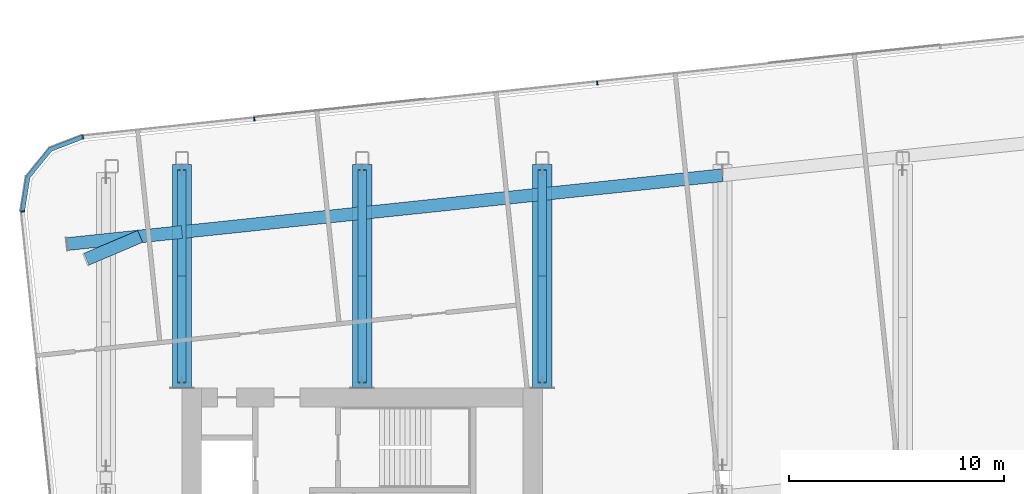
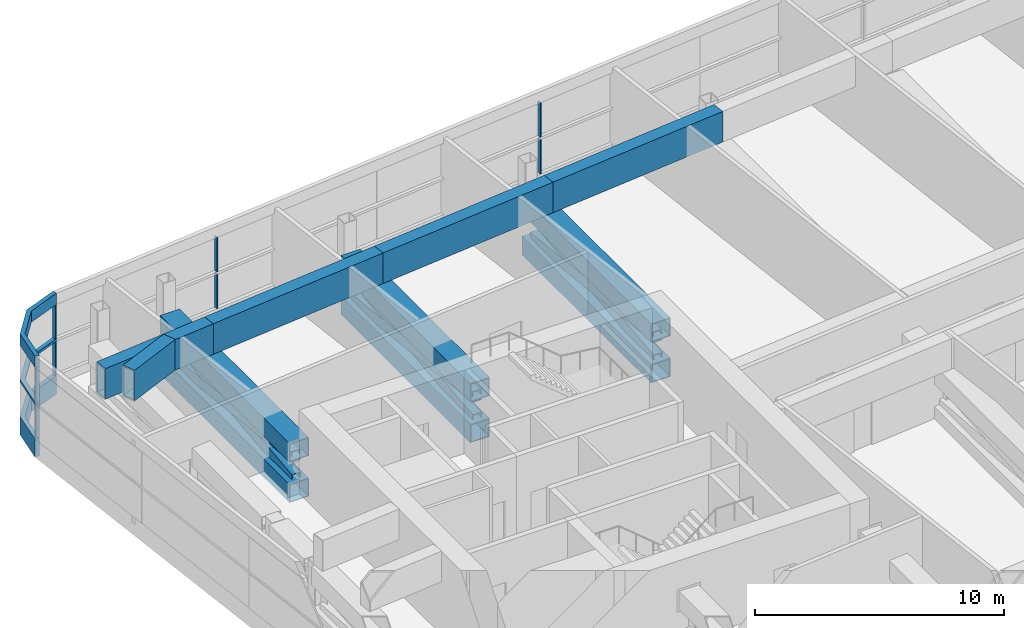
# One storey, part 9 of 33: 23 members, 5 beams, 3 elements without a shape of their own.
"""IFC4 building model written with IfcOpenShell, lengths in metres."""

from ifc_helpers import new_model, si_unit, direction, frame, origin, origin_2d, place, context, subcontext, project, spatial, polyline, rectangle, hollow_rectangle, outline, extrude, material, layer, layer_set, material_profile, profile_set, type_object, element, aggregate, save


model = new_model("IFC4")

# Units and contexts
model_context = context("Model", 3, precision=1e-05, world=origin(), true_north=direction((0.0, 1.0)))
body_context = subcontext(model_context, "Body", "Model", "MODEL_VIEW")
ifc_project = project(units=[si_unit("LENGTHUNIT", "METRE"), si_unit("AREAUNIT", "SQUARE_METRE"), si_unit("VOLUMEUNIT", "CUBIC_METRE"), si_unit("PLANEANGLEUNIT", "RADIAN"), si_unit("MASSUNIT", "GRAM", prefix="KILO")], contexts=[model_context])

# Site, building, storey
site_placement = place(None, origin())
site = spatial("IfcSite", under=ifc_project, at=site_placement, CompositionType="ELEMENT")
building_placement = place(site_placement, origin())
building = spatial("IfcBuilding", under=site, at=building_placement, Name="Hakoniwa Tower and Hamabe Station Hall", CompositionType="ELEMENT")
storey_placement = place(building_placement, frame((0.0, 0.0, 228.199951171875)))
storey = spatial("IfcBuildingStorey", under=building, at=storey_placement, Name="L65", CompositionType="ELEMENT", Elevation=228.199951171875)

# Curtain wall, members
ifc_material_1 = material(Name="Dark low-e laminated glass", Category="glass")
ifc_layer = layer(ifc_material_1, 0.199951171875)
ifc_layer_set = layer_set([ifc_layer], Name="CW-6 PLANT LOUVRE")
curtain_wall_type = type_object("IfcCurtainWallType", Name="CW-6 PLANT LOUVRE", PredefinedType="NOTDEFINED", material=ifc_layer_set)
curtain_wall_1_placement = place(storey_placement, origin())
curtain_wall_1 = element("IfcCurtainWall", 1, at=curtain_wall_1_placement, inside=storey, type_object=curtain_wall_type, Name="CW-6 curtain wall", PredefinedType="NOTDEFINED")
ifc_material_2 = material(Name="Aluminium 6063-T5 black anodised", Category="aluminium")
ifc_material_profile_1 = material_profile(ifc_material_2, rectangle(XDim=0.199951171875, YDim=0.550048828125, at=origin_2d()), Name="CW HEAD BAND 550X200")
ifc_profile_set_1 = profile_set([ifc_material_profile_1], Name="Aluminium 6063-T5 black anodised")
member_type_1 = type_object("IfcMemberType", Name="CW HEAD BAND 550X200", PredefinedType="USERDEFINED", material=ifc_profile_set_1)
member_1_placement = place(storey_placement, frame((0.0, 0.0, 3.85009765625)))
member_1 = element("IfcMember", 2, at=member_1_placement, type_object=member_type_1, Name="CW-6 transom", ObjectType="TRANSOM", PredefinedType="USERDEFINED", context=body_context, shape_type="SweptSolid", body=[
    extrude(outline(polyline([(-38.23291015625, 20.19091796875), (-39.79443359375, 19.59130859375), (-40.873046875, 18.259521484375), (-41.134765625, 16.607421875), (-40.937255859375, 16.576171875), (-40.683837890625, 18.17529296875), (-39.6728515625, 19.423828125), (-38.1611328125, 20.004150390625), (-38.23291015625, 20.19091796875)])), origin(), (0.0, 0.0, 1.0), 0.550048828125),
])
ifc_material_3 = material(Name="Aluminium 6063-T5 black anodised", Category="aluminium")
ifc_material_profile_2 = material_profile(ifc_material_3, rectangle(XDim=0.199951171875, YDim=0.1201171875, at=origin_2d()), Name="CW MID TRANSOM 120X200")
ifc_profile_set_2 = profile_set([ifc_material_profile_2], Name="Aluminium 6063-T5 black anodised")
member_type_2 = type_object("IfcMemberType", Name="CW MID TRANSOM 120X200", PredefinedType="USERDEFINED", material=ifc_profile_set_2)
member_2_placement = place(storey_placement, frame((0.0, 0.0, 2.0400390625)))
member_2 = element("IfcMember", 3, at=member_2_placement, type_object=member_type_2, Name="CW-6 transom", ObjectType="TRANSOM", PredefinedType="USERDEFINED", context=body_context, shape_type="SweptSolid", body=[
    extrude(outline(polyline([(-38.23291015625, 20.19091796875), (-39.79443359375, 19.59130859375), (-40.873046875, 18.259521484375), (-41.134765625, 16.607421875), (-40.937255859375, 16.576171875), (-40.683837890625, 18.17529296875), (-39.6728515625, 19.423828125), (-38.1611328125, 20.004150390625), (-38.23291015625, 20.19091796875)])), origin(), (0.0, 0.0, 1.0), 0.1201171875),
])
ifc_material_4 = material(Name="Aluminium 6063-T5 black anodised", Category="aluminium")
ifc_material_profile_3 = material_profile(ifc_material_4, rectangle(XDim=0.199951171875, YDim=0.89990234375, at=origin_2d()), Name="CW SLAB-EDGE BAND 900X200")
ifc_profile_set_3 = profile_set([ifc_material_profile_3], Name="Aluminium 6063-T5 black anodised")
member_type_3 = type_object("IfcMemberType", Name="CW SLAB-EDGE BAND 900X200", PredefinedType="USERDEFINED", material=ifc_profile_set_3)
member_3_placement = place(storey_placement, frame((0.0, 0.0, -0.550048828125)))
member_3 = element("IfcMember", 4, at=member_3_placement, type_object=member_type_3, Name="CW-6 transom", ObjectType="TRANSOM", PredefinedType="USERDEFINED", context=body_context, shape_type="SweptSolid", body=[
    extrude(outline(polyline([(-38.23291015625, 20.19091796875), (-39.79443359375, 19.59130859375), (-40.873046875, 18.259521484375), (-41.134765625, 16.607421875), (-40.937255859375, 16.576171875), (-40.683837890625, 18.17529296875), (-39.6728515625, 19.423828125), (-38.1611328125, 20.004150390625), (-38.23291015625, 20.19091796875)])), origin(), (0.0, 0.0, 1.0), 0.900146484375),
])
aggregate(curtain_wall_1, [member_3, member_2, member_1])

curtain_wall_2_placement = place(storey_placement, origin())
curtain_wall_2 = element("IfcCurtainWall", 5, at=curtain_wall_2_placement, inside=storey, type_object=curtain_wall_type, Name="CW-6 curtain wall", PredefinedType="NOTDEFINED")
ifc_material_5 = material(Name="Aluminium 6063-T5 black anodised", Category="aluminium")
ifc_material_profile_4 = material_profile(ifc_material_5, rectangle(XDim=0.06005859375, YDim=0.179931640625, at=origin_2d()), Name="CW-1 MULLION 60X180")
ifc_profile_set_4 = profile_set([ifc_material_profile_4], Name="Aluminium 6063-T5 black anodised")
member_type_4 = type_object("IfcMemberType", Name="CW-1 MULLION 60X180", PredefinedType="MULLION", material=ifc_profile_set_4)
member_4_placement = place(storey_placement, frame((-14.236572265625, 22.59423828125, 0.35009765625), z_axis=(0.0, 0.0, 1.0), x_axis=(-0.994521895328, -0.10452846365, 0.0)))
member_4 = element("IfcMember", 6, at=member_4_placement, type_object=member_type_4, Name="CW-6 mullion", PredefinedType="MULLION", context=body_context, shape_type="SweptSolid", body=[
    extrude(rectangle(XDim=0.06005859375, YDim=0.179931640625, at=origin_2d()), origin(), (0.0, 0.0, 1.0), 1.68994140625),
])
member_5_placement = place(storey_placement, frame((-14.236572265625, 22.59423828125, 2.16015625), z_axis=(0.0, 0.0, 1.0), x_axis=(-0.994521895328, -0.10452846365, 0.0)))
member_5 = element("IfcMember", 7, at=member_5_placement, type_object=member_type_4, Name="CW-6 mullion", PredefinedType="MULLION", context=body_context, shape_type="SweptSolid", body=[
    extrude(rectangle(XDim=0.06005859375, YDim=0.179931640625, at=origin_2d()), origin(), (0.0, 0.0, 1.0), 1.68994140625),
])
member_6_placement = place(storey_placement, frame((-30.225830078125, 20.913818359375, 0.35009765625), z_axis=(0.0, 0.0, 1.0), x_axis=(-0.994521895328, -0.10452846365, 0.0)))
member_6 = element("IfcMember", 8, at=member_6_placement, type_object=member_type_4, Name="CW-6 mullion", PredefinedType="MULLION", context=body_context, shape_type="SweptSolid", body=[
    extrude(rectangle(XDim=0.06005859375, YDim=0.179931640625, at=origin_2d()), origin(), (0.0, 0.0, 1.0), 1.68994140625),
])
member_7_placement = place(storey_placement, frame((-30.225830078125, 20.913818359375, 2.16015625), z_axis=(0.0, 0.0, 1.0), x_axis=(-0.994521895328, -0.10452846365, 0.0)))
member_7 = element("IfcMember", 9, at=member_7_placement, type_object=member_type_4, Name="CW-6 mullion", PredefinedType="MULLION", context=body_context, shape_type="SweptSolid", body=[
    extrude(rectangle(XDim=0.06005859375, YDim=0.179931640625, at=origin_2d()), origin(), (0.0, 0.0, 1.0), 1.68994140625),
])
member_8_placement = place(storey_placement, frame((-38.220458984375, 20.073486328125, 0.35009765625), z_axis=(0.0, 0.0, 1.0), x_axis=(-0.994521895328, -0.10452846365, 0.0)))
member_8 = element("IfcMember", 10, at=member_8_placement, type_object=member_type_4, Name="CW-6 mullion", PredefinedType="MULLION", context=body_context, shape_type="SweptSolid", body=[
    extrude(rectangle(XDim=0.06005859375, YDim=0.179931640625, at=origin_2d()), origin(), (0.0, 0.0, 1.0), 1.68994140625),
])
member_9_placement = place(storey_placement, frame((-38.220458984375, 20.073486328125, 2.16015625), z_axis=(0.0, 0.0, 1.0), x_axis=(-0.994521895328, -0.10452846365, 0.0)))
member_9 = element("IfcMember", 11, at=member_9_placement, type_object=member_type_4, Name="CW-6 mullion", PredefinedType="MULLION", context=body_context, shape_type="SweptSolid", body=[
    extrude(rectangle(XDim=0.06005859375, YDim=0.179931640625, at=origin_2d()), origin(), (0.0, 0.0, 1.0), 1.68994140625),
])
aggregate(curtain_wall_2, [member_4, member_5, member_6, member_7, member_8, member_9])

curtain_wall_3_placement = place(storey_placement, origin())
curtain_wall_3 = element("IfcCurtainWall", 12, at=curtain_wall_3_placement, inside=storey, type_object=curtain_wall_type, Name="CW-6 curtain wall", PredefinedType="NOTDEFINED")
member_10_placement = place(storey_placement, frame((-41.017333984375, 16.61962890625, 0.35009765625), z_axis=(0.0, 0.0, 1.0), x_axis=(0.104528461376, -0.994521895567, 0.0)))
member_10 = element("IfcMember", 13, at=member_10_placement, type_object=member_type_4, Name="CW-6 mullion", PredefinedType="MULLION", context=body_context, shape_type="SweptSolid", body=[
    extrude(rectangle(XDim=0.06005859375, YDim=0.179931640625, at=origin_2d()), origin(), (0.0, 0.0, 1.0), 1.68994140625),
])
member_11_placement = place(storey_placement, frame((-41.017333984375, 16.61962890625, 2.16015625), z_axis=(0.0, 0.0, 1.0), x_axis=(0.104528461376, -0.994521895567, 0.0)))
member_11 = element("IfcMember", 14, at=member_11_placement, type_object=member_type_4, Name="CW-6 mullion", PredefinedType="MULLION", context=body_context, shape_type="SweptSolid", body=[
    extrude(rectangle(XDim=0.06005859375, YDim=0.179931640625, at=origin_2d()), origin(), (0.0, 0.0, 1.0), 1.68994140625),
])
aggregate(curtain_wall_3, [member_10, member_11])

# Beams
ifc_material_6 = material(Name="Steel SN490C", Category="steel")
ifc_material_profile_5 = material_profile(ifc_material_6, hollow_rectangle(XDim=0.60009765625, YDim=1.5, WallThickness=0.054931640625, at=origin_2d()), Name="BX-1500x600x55")
ifc_profile_set_5 = profile_set([ifc_material_profile_5], Name="Steel SN490C")
beam_type = type_object("IfcBeamType", Name="TRANSFER GIRDER BX-1500x600x55", PredefinedType="BEAM", material=ifc_profile_set_5)
beam_1_placement = place(storey_placement, frame((-38.929931640625, 15.10009765625, 3.35009765625), z_axis=(0.994524407692, 0.104504557338, 0.0), x_axis=(-0.104504557338, 0.994524407692, 0.0)))
element("IfcBeam", 15, at=beam_1_placement, inside=storey, type_object=beam_type, Name="Truss T4-S-F5-G1", PredefinedType="BEAM", context=body_context, shape_type="SweptSolid", body=[
    extrude(hollow_rectangle(XDim=0.60009765625, YDim=1.5, WallThickness=0.054931640625, at=origin_2d()), origin(), (0.0, 0.0, 1.0), 5.359130859375),
])
beam_2_placement = place(storey_placement, frame((-33.60009765625, 15.66015625, 3.35009765625), z_axis=(0.99452286114, 0.104519274156, 0.0), x_axis=(-0.104519274156, 0.99452286114, 0.0)))
element("IfcBeam", 16, at=beam_2_placement, inside=storey, type_object=beam_type, Name="Truss T4-S-F5-G2", PredefinedType="BEAM", context=body_context, shape_type="SweptSolid", body=[
    extrude(hollow_rectangle(XDim=0.60009765625, YDim=1.5, WallThickness=0.054931640625, at=origin_2d()), origin(), (0.0, 0.0, 1.0), 8.4462890625),
])
beam_3_placement = place(storey_placement, frame((-25.199951171875, 16.54296875, 3.35009765625), z_axis=(0.994522545364, 0.10452227879, 0.0), x_axis=(-0.10452227879, 0.994522545364, 0.0)))
element("IfcBeam", 17, at=beam_3_placement, inside=storey, type_object=beam_type, Name="Truss T4-S-F5-G3", PredefinedType="BEAM", context=body_context, shape_type="SweptSolid", body=[
    extrude(hollow_rectangle(XDim=0.60009765625, YDim=1.5, WallThickness=0.054931640625, at=origin_2d()), origin(), (0.0, 0.0, 1.0), 8.446044921875),
])
beam_4_placement = place(storey_placement, frame((-16.800048828125, 17.42578125, 3.35009765625), z_axis=(0.99452286114, 0.104519274156, 0.0), x_axis=(-0.104519274156, 0.99452286114, 0.0)))
element("IfcBeam", 18, at=beam_4_placement, inside=storey, type_object=beam_type, Name="Truss T4-S-F5-G4", PredefinedType="BEAM", context=body_context, shape_type="SweptSolid", body=[
    extrude(hollow_rectangle(XDim=0.60009765625, YDim=1.5, WallThickness=0.054931640625, at=origin_2d()), origin(), (0.0, 0.0, 1.0), 8.4462890625),
])
beam_5_placement = place(storey_placement, frame((-35.548583984375, 15.455322265625, 3.35009765625), z_axis=(-0.920245351483, -0.39134191326, 0.0), x_axis=(0.39134191326, -0.920245351483, 0.0)))
element("IfcBeam", 19, at=beam_5_placement, inside=storey, type_object=beam_type, Name="Truss L65-XG2", PredefinedType="BEAM", context=body_context, shape_type="SweptSolid", body=[
    extrude(hollow_rectangle(XDim=0.60009765625, YDim=1.5, WallThickness=0.054931640625, at=origin_2d()), origin(), (0.0, 0.0, 1.0), 2.722412109375),
])

# Members
ifc_material_7 = material(Name="Steel SN490C", Category="steel")
ifc_material_profile_6 = material_profile(ifc_material_7, hollow_rectangle(XDim=0.89990234375, YDim=0.89990234375, WallThickness=0.035888671875, at=origin_2d()), Name="BX-900x900x36")
ifc_profile_set_6 = profile_set([ifc_material_profile_6], Name="Steel SN490C")
member_type_5 = type_object("IfcMemberType", Name="TRUSS CHORD BX-900x900x36", PredefinedType="CHORD", material=ifc_profile_set_6)
for number, where, z_axis, x_axis, name in (
    (20, (-33.60009765625, 8.39990234375, 0.150146484375), (0.0, 1.0, 0.0), (-1.0, 0.0, 0.0), "Truss T4-04-BC01"),
    (21, (-33.60009765625, 8.39990234375, 2.150146484375), (0.0, 1.0, 0.0), (-1.0, 0.0, 0.0), "Truss T4-04-TC01"),
    (22, (-25.199951171875, 8.39990234375, 0.150146484375), (0.0, 1.0, 0.0), (-1.0, 0.0, 0.0), "Truss T4-06-BC01"),
    (23, (-25.199951171875, 8.39990234375, 2.150146484375), (0.0, 1.0, 0.0), (-1.0, 0.0, 0.0), "Truss T4-06-TC01"),
    (24, (-16.800048828125, 8.39990234375, 0.150146484375), (0.0, 1.0, 0.0), (-1.0, 0.0, 0.0), "Truss T4-08-BC01"),
    (25, (-16.800048828125, 8.39990234375, 2.150146484375), (0.0, 1.0, 0.0), (-1.0, 0.0, 0.0), "Truss T4-08-TC01"),
):
    element("IfcMember", number, at=place(storey_placement, frame(where, z_axis=z_axis, x_axis=x_axis)), inside=storey, type_object=member_type_5, Name=name, PredefinedType="CHORD", context=body_context, shape_type="SweptSolid", body=[
        extrude(hollow_rectangle(XDim=0.89990234375, YDim=0.89990234375, WallThickness=0.035888671875, at=origin_2d()), origin(), (0.0, 0.0, 1.0), 10.400146484375),
    ])
ifc_material_8 = material(Name="Steel SN490C", Category="steel")
ifc_material_profile_7 = material_profile(ifc_material_8, hollow_rectangle(XDim=0.39990234375, YDim=0.5, WallThickness=0.02197265625, at=origin_2d()), Name="BX-500x400x22")
ifc_profile_set_7 = profile_set([ifc_material_profile_7], Name="Steel SN490C")
member_type_6 = type_object("IfcMemberType", Name="TRUSS DIAGONAL BX-500x400x22", PredefinedType="BRACE", material=ifc_profile_set_7)
for number, where, z_axis, x_axis, name in (
    (26, (-33.60009765625, 8.64990234375, 0.60009765625), (0.0, 0.993885527922, 0.110415385645), (-1.0, 0.0, 0.0), "Truss T4-04-D01a"),
    (27, (-33.60009765625, 8.64990234375, 1.699951171875), (0.0, 0.993885527922, -0.110415385645), (-1.0, 0.0, 0.0), "Truss T4-04-D01b"),
    (28, (-25.199951171875, 8.64990234375, 0.60009765625), (0.0, 0.993885527922, 0.110415385645), (-1.0, 0.0, 0.0), "Truss T4-06-D01a"),
    (29, (-25.199951171875, 8.64990234375, 1.699951171875), (0.0, 0.993885527922, -0.110415385645), (-1.0, 0.0, 0.0), "Truss T4-06-D01b"),
    (30, (-16.800048828125, 8.64990234375, 0.60009765625), (0.0, 0.993885527922, 0.110415385645), (-1.0, 0.0, 0.0), "Truss T4-08-D01a"),
    (31, (-16.800048828125, 8.64990234375, 1.699951171875), (0.0, 0.993885527922, -0.110415385645), (-1.0, 0.0, 0.0), "Truss T4-08-D01b"),
):
    element("IfcMember", number, at=place(storey_placement, frame(where, z_axis=z_axis, x_axis=x_axis)), inside=storey, type_object=member_type_6, Name=name, PredefinedType="BRACE", context=body_context, shape_type="SweptSolid", body=[
        extrude(hollow_rectangle(XDim=0.39990234375, YDim=0.5, WallThickness=0.02197265625, at=origin_2d()), origin(), (0.0, 0.0, 1.0), 9.9609375),
    ])

save(model, "model.ifc")
